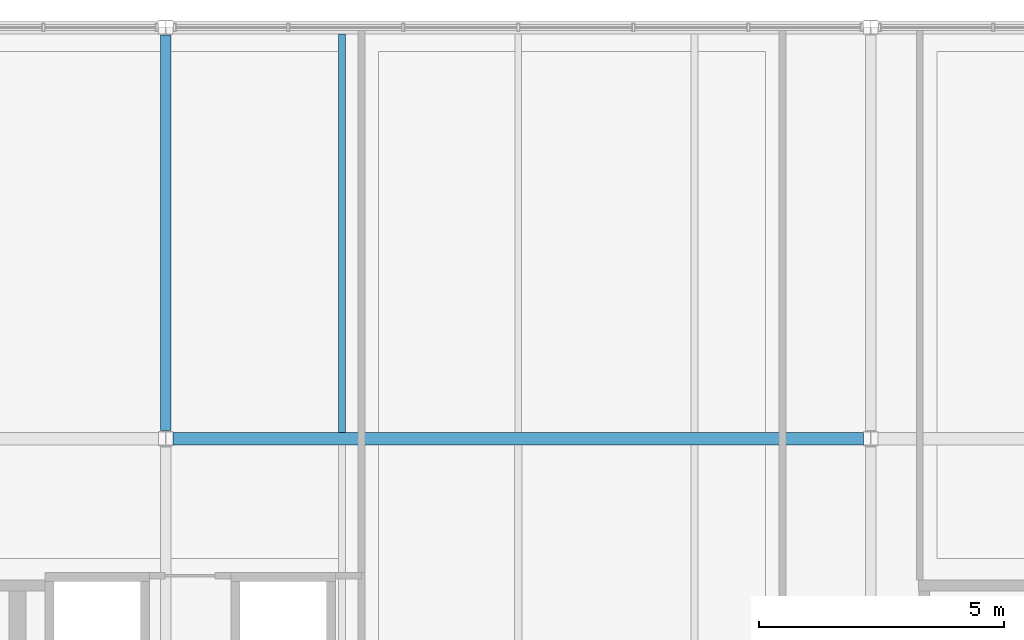
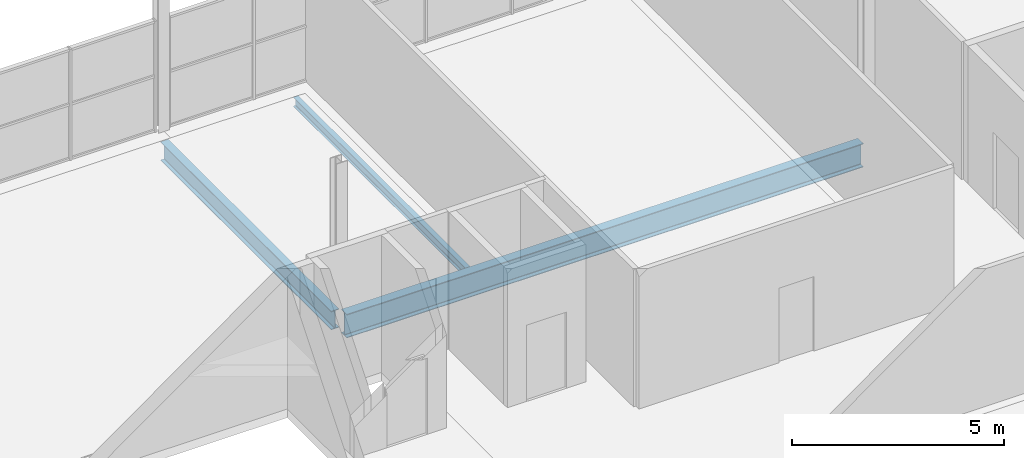
# One storey, part 37 of 68: 3 beams.
"""IFC4 building model written with IfcOpenShell, lengths in metres."""

from ifc_helpers import new_model, si_unit, direction, frame, origin, origin_2d, place, context, subcontext, project, spatial, i_section, extrude, material, material_profile, profile_set, type_object, element, save


model = new_model("IFC4")

# Units and contexts
model_context = context("Model", 3, precision=1e-05, world=origin(), true_north=direction((0.0, 1.0)))
body_context = subcontext(model_context, "Body", "Model", "MODEL_VIEW")
ifc_project = project(units=[si_unit("LENGTHUNIT", "METRE"), si_unit("AREAUNIT", "SQUARE_METRE"), si_unit("VOLUMEUNIT", "CUBIC_METRE"), si_unit("PLANEANGLEUNIT", "RADIAN"), si_unit("MASSUNIT", "GRAM", prefix="KILO"), si_unit("THERMODYNAMICTEMPERATUREUNIT", "KELVIN")], contexts=[model_context])

# Site, building, storey
site_placement = place(None, origin())
site = spatial("IfcSite", under=ifc_project, at=site_placement, CompositionType="ELEMENT")
building_placement = place(site_placement, origin())
building = spatial("IfcBuilding", under=site, at=building_placement, Name="Nduvali Passage Aquatics Centre", CompositionType="ELEMENT")
storey_placement = place(building_placement, frame((0.0, 0.0, 13.199951171875)))
storey = spatial("IfcBuildingStorey", under=building, at=storey_placement, Name="L03", CompositionType="ELEMENT", Elevation=13.199951171875)

# Beams
ifc_material = material(Name="Steel S355", Category="steel")
ifc_material_profile_1 = material_profile(ifc_material, i_section(OverallWidth=0.210693359375, OverallDepth=0.53955078125, WebThickness=0.01171875, FlangeThickness=0.018798828125, FilletRadius=0.0126953125, at=origin_2d()), Name="UKB 533x210x109")
ifc_profile_set_1 = profile_set([ifc_material_profile_1], Name="Steel S355")
beam_type_1 = type_object("IfcBeamType", Name="STR-BM-UKB533", PredefinedType="BEAM", material=ifc_profile_set_1)
beam_1_placement = place(storey_placement, frame((82.800048828125, 109.3701171875, -0.523681640625), z_axis=(0.0, 1.0, 0.0), x_axis=(-1.0, 0.0, 0.0)))
element("IfcBeam", 1, at=beam_1_placement, inside=storey, type_object=beam_type_1, Name="L03 Primary Y-Girder B6-1266", PredefinedType="BEAM", context=body_context, shape_type="SweptSolid", body=[
    extrude(i_section(OverallWidth=0.210693359375, OverallDepth=0.53955078125, WebThickness=0.01171875, FlangeThickness=0.018798828125, FilletRadius=0.0126953125, at=origin_2d()), origin(), (0.0, 0.0, 1.0), 8.06982421875),
])
ifc_material_profile_2 = material_profile(ifc_material, i_section(OverallWidth=0.253662109375, OverallDepth=0.68359375, WebThickness=0.012451171875, FlangeThickness=0.01904296875, FilletRadius=0.01513671875, at=origin_2d()), Name="UKB 686x254x140")
ifc_profile_set_2 = profile_set([ifc_material_profile_2], Name="Steel S355")
beam_type_2 = type_object("IfcBeamType", Name="STR-BM-UKB686", PredefinedType="BEAM", material=ifc_profile_set_2)
beam_2_placement = place(storey_placement, frame((82.949951171875, 109.199951171875, -0.595703125), z_axis=(1.0, 0.0, 0.0), x_axis=(0.0, 1.0, 0.0)))
element("IfcBeam", 2, at=beam_2_placement, inside=storey, type_object=beam_type_2, Name="L03 Primary X-Girder B4-1230", PredefinedType="BEAM", context=body_context, shape_type="SweptSolid", body=[
    extrude(i_section(OverallWidth=0.253662109375, OverallDepth=0.68359375, WebThickness=0.012451171875, FlangeThickness=0.01904296875, FilletRadius=0.01513671875, at=origin_2d()), origin(), (0.0, 0.0, 1.0), 14.10009765625),
])
ifc_material_profile_3 = material_profile(ifc_material, i_section(OverallWidth=0.135009765625, OverallDepth=0.27001953125, WebThickness=0.006591796875, FlangeThickness=0.01025390625, FilletRadius=0.014892578125, at=origin_2d()), Name="IPE 270")
ifc_profile_set_3 = profile_set([ifc_material_profile_3], Name="Steel S355")
beam_type_3 = type_object("IfcBeamType", Name="STR-JST-IPE270", PredefinedType="JOIST", material=ifc_profile_set_3)
beam_3_placement = place(storey_placement, frame((86.39990234375, 109.326904296875, -0.388916015625), z_axis=(0.0, 1.0, 0.0), x_axis=(-1.0, 0.0, 0.0)))
element("IfcBeam", 3, at=beam_3_placement, inside=storey, type_object=beam_type_3, Name="L03 Secondary Joist J8-1312", PredefinedType="JOIST", context=body_context, shape_type="SweptSolid", body=[
    extrude(i_section(OverallWidth=0.135009765625, OverallDepth=0.27001953125, WebThickness=0.006591796875, FlangeThickness=0.01025390625, FilletRadius=0.014892578125, at=origin_2d()), origin(), (0.0, 0.0, 1.0), 8.139892578125),
])

save(model, "model.ifc")
